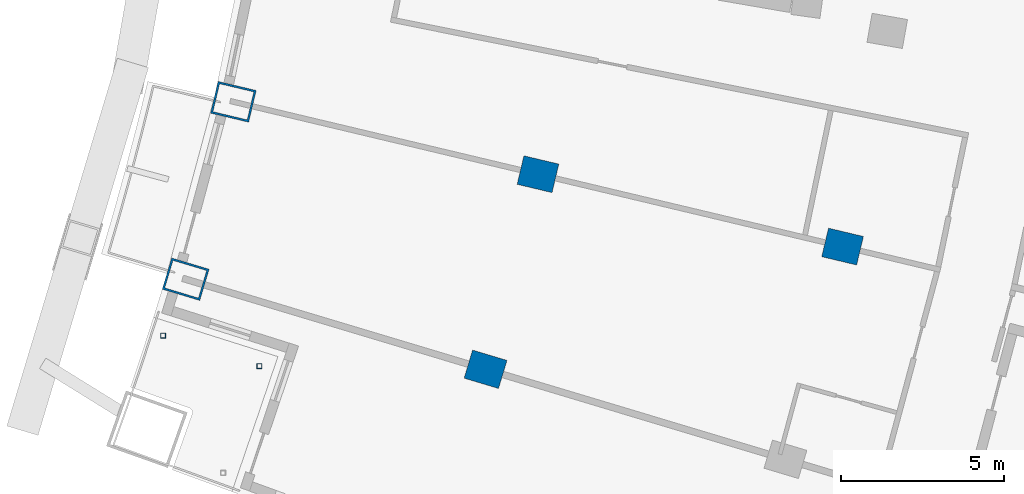
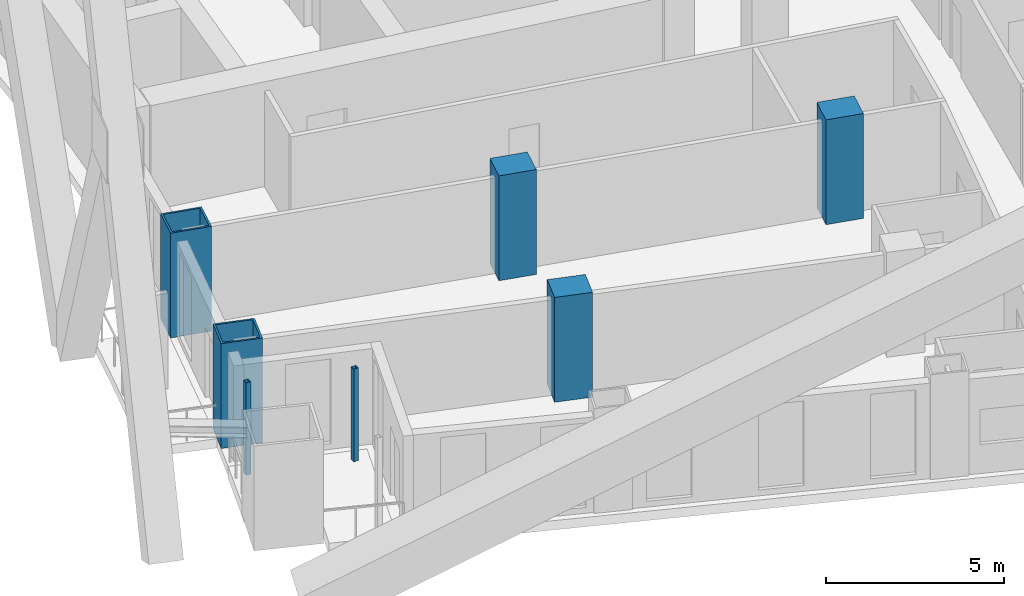
# One storey, part 3 of 25: 7 columns.
"""IFC4 building model written with IfcOpenShell, lengths in metres."""

from ifc_helpers import new_model, si_unit, direction, frame, origin, origin_2d, place, context, subcontext, project, spatial, rectangle, hollow_rectangle, extrude, material, material_profile, profile_set, type_object, element, save


model = new_model("IFC4")

# Units and contexts
model_context = context("Model", 3, precision=1e-05, world=origin(), true_north=direction((0.0, 1.0)))
body_context = subcontext(model_context, "Body", "Model", "MODEL_VIEW")
ifc_project = project(units=[si_unit("LENGTHUNIT", "METRE"), si_unit("AREAUNIT", "SQUARE_METRE"), si_unit("VOLUMEUNIT", "CUBIC_METRE"), si_unit("PLANEANGLEUNIT", "RADIAN"), si_unit("MASSUNIT", "GRAM", prefix="KILO")], contexts=[model_context])

# Site, building, storey
site_placement = place(None, origin())
site = spatial("IfcSite", under=ifc_project, at=site_placement, CompositionType="ELEMENT")
building_placement = place(site_placement, origin())
building = spatial("IfcBuilding", under=site, at=building_placement, Name="Alderwake Tower", CompositionType="ELEMENT")
storey_placement = place(building_placement, frame((0.0, 0.0, 32.0)))
storey = spatial("IfcBuildingStorey", under=building, at=storey_placement, Name="L06", CompositionType="ELEMENT", Elevation=32.0)

# Columns
ifc_material_1 = material(Name="Concrete C70/85", Category="concrete")
ifc_material_profile_1 = material_profile(ifc_material_1, rectangle(XDim=0.89990234375, YDim=1.10009765625, at=origin_2d()), Name="RC 1100X900")
ifc_profile_set_1 = profile_set([ifc_material_profile_1], Name="Concrete C70/85")
column_type_1 = type_object("IfcColumnType", Name="Interior column Z1", PredefinedType="COLUMN", material=ifc_profile_set_1)
for number, where, z_axis, x_axis, name in (
    (1, (21.714599609375, 30.46240234375, 0.0), (0.0, 0.0, 1.0), (0.287549418125, 0.957765802342, 0.0), "Column R02-C1"),
    (2, (23.322021484375, 36.444091796875, 0.0), (0.0, 0.0, 1.0), (0.231221547198, 0.972901123502, 0.0), "Column R03-C1"),
    (3, (32.661865234375, 34.224609375, 0.0), (0.0, 0.0, 1.0), (0.231221547198, 0.972901123502, 0.0), "Column R03-C2"),
):
    element("IfcColumn", number, at=place(storey_placement, frame(where, z_axis=z_axis, x_axis=x_axis)), inside=storey, type_object=column_type_1, Name=name, PredefinedType="COLUMN", context=body_context, shape_type="SweptSolid", body=[
        extrude(rectangle(XDim=0.89990234375, YDim=1.10009765625, at=origin_2d()), origin(), (0.0, 0.0, 1.0), 3.60009765625),
    ])
ifc_material_2 = material(Name="Steel ASTM A500 Grade C", Category="steel")
ifc_material_profile_2 = material_profile(ifc_material_2, hollow_rectangle(XDim=0.15234375, YDim=0.15234375, WallThickness=0.0087890625, at=origin_2d()), Name="HSS6X6X3/8")
ifc_profile_set_2 = profile_set([ifc_material_profile_2], Name="Steel ASTM A500 Grade C")
column_type_2 = type_object("IfcColumnType", Name="Light post HSS6X6X3/8", PredefinedType="COLUMN", material=ifc_profile_set_2)
for number, where, z_axis, x_axis, name in (
    (4, (11.82568359375, 31.492919921875, 0.0), (0.0, 0.0, 1.0), (1.0, 0.0, 0.0), "Terrace post RS1"),
    (5, (14.781494140625, 30.558349609375, 0.0), (0.0, 0.0, 1.0), (1.0, 0.0, 0.0), "Terrace post RS3"),
):
    element("IfcColumn", number, at=place(storey_placement, frame(where, z_axis=z_axis, x_axis=x_axis)), inside=storey, type_object=column_type_2, Name=name, PredefinedType="COLUMN", context=body_context, shape_type="SweptSolid", body=[
        extrude(hollow_rectangle(XDim=0.15234375, YDim=0.15234375, WallThickness=0.0087890625, at=origin_2d()), origin(), (0.0, 0.0, 1.0), 3.179931640625),
    ])
ifc_material_3 = material(Name="Steel ASTM A572 Grade 50 concrete filled C70/85", Category="concrete")
ifc_material_profile_3 = material_profile(ifc_material_3, hollow_rectangle(XDim=1.0, YDim=1.199951171875, WallThickness=0.06005859375, at=origin_2d()), Name="BOX 1200X1000X60")
ifc_profile_set_3 = profile_set([ifc_material_profile_3], Name="Steel ASTM A572 Grade 50 concrete filled C70/85")
column_type_3 = type_object("IfcColumnType", Name="Perimeter column Z1", PredefinedType="COLUMN", material=ifc_profile_set_3)
for number, where, z_axis, x_axis, name in (
    (6, (12.520263671875, 33.222900390625, 0.0), (0.0, 0.0, 1.0), (0.287549418125, 0.957765802342, 0.0), "Column R02-C0"),
    (7, (13.982177734375, 38.6640625, 0.0), (0.0, 0.0, 1.0), (0.231221547198, 0.972901123502, 0.0), "Column R03-C0"),
):
    element("IfcColumn", number, at=place(storey_placement, frame(where, z_axis=z_axis, x_axis=x_axis)), inside=storey, type_object=column_type_3, Name=name, PredefinedType="COLUMN", context=body_context, shape_type="SweptSolid", body=[
        extrude(hollow_rectangle(XDim=1.0, YDim=1.199951171875, WallThickness=0.06005859375, at=origin_2d()), origin(), (0.0, 0.0, 1.0), 3.60009765625),
    ])

save(model, "model.ifc")
